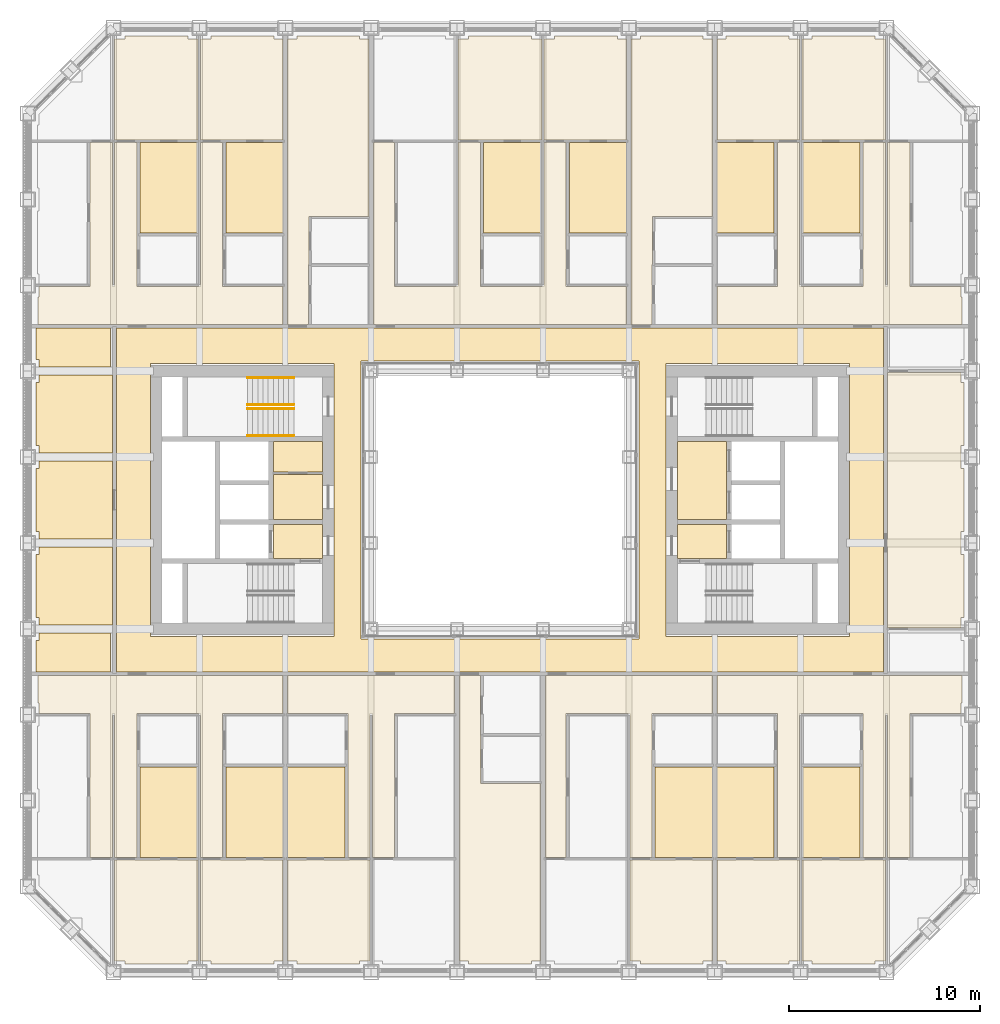
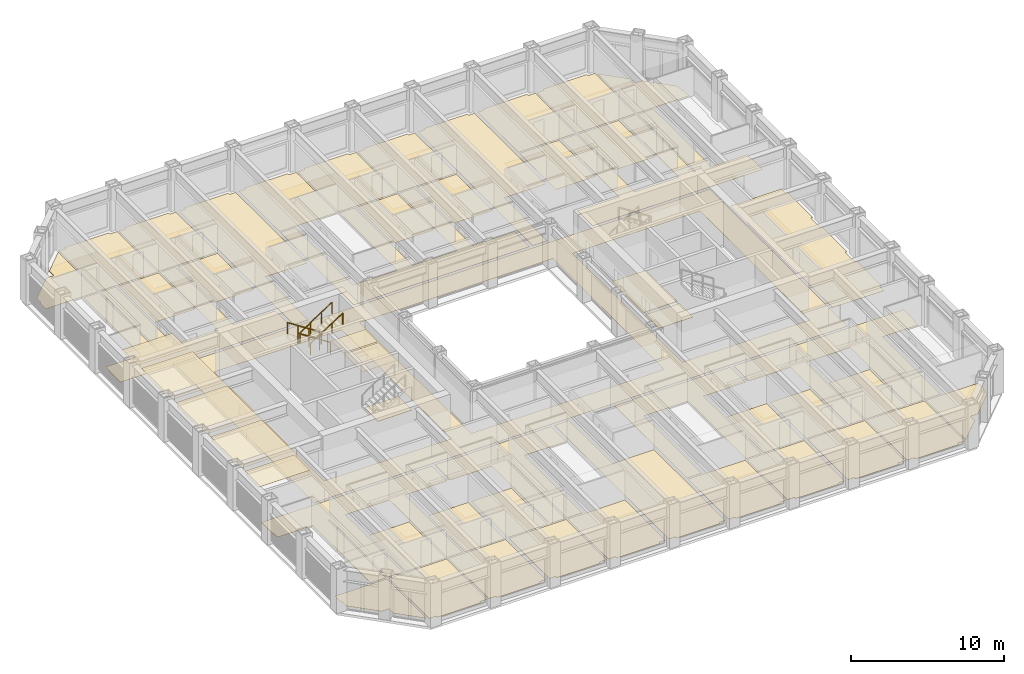
# One storey, part 17 of 20: 4 coverings, 4 railings.
"""IFC4 building model written with IfcOpenShell, lengths in metres."""

from ifc_helpers import new_model, si_unit, direction, frame, origin, origin_2d, place, context, subcontext, project, spatial, line, indexed_curve, circle, outline, extrude, material, layer, layer_set, type_object, element, save


model = new_model("IFC4")

# Units and contexts
model_context = context("Model", 3, precision=1e-05, world=origin(), true_north=direction((0.0, 1.0)))
body_context = subcontext(model_context, "Body", "Model", "MODEL_VIEW")
ifc_project = project(units=[si_unit("LENGTHUNIT", "METRE"), si_unit("AREAUNIT", "SQUARE_METRE"), si_unit("VOLUMEUNIT", "CUBIC_METRE"), si_unit("PLANEANGLEUNIT", "RADIAN"), si_unit("MASSUNIT", "GRAM", prefix="KILO")], contexts=[model_context])

# Site, building, storey
site_placement = place(None, origin())
site = spatial("IfcSite", under=ifc_project, at=site_placement, CompositionType="ELEMENT")
building_placement = place(site_placement, origin())
building = spatial("IfcBuilding", under=site, at=building_placement, Name="Msasa Ring Tower", CompositionType="ELEMENT")
storey_placement = place(building_placement, frame((0.0, 0.0, 65.0)))
storey = spatial("IfcBuildingStorey", under=building, at=storey_placement, Name="L16", CompositionType="ELEMENT", Elevation=65.0)

# Coverings
ifc_material_1 = material(Name="Mineral fibre ceiling tiles on an exposed steel grid", Category="steel")
ifc_layer_1 = layer(ifc_material_1, 0.02001953125)
ifc_layer_set_1 = layer_set([ifc_layer_1], Name="C3 ACOUSTIC MINERAL FIBRE TILE CEILING 20")
covering_type_1 = type_object("IfcCoveringType", Name="C3 ACOUSTIC MINERAL FIBRE TILE CEILING 20", PredefinedType="CEILING", material=ifc_layer_set_1)
covering_1_placement = place(storey_placement, frame((0.0, 0.0, 2.699951171875)))
element("IfcCovering", 1, at=covering_1_placement, inside=storey, type_object=covering_type_1, Name="Acoustic Mineral Fibre Tile Ceiling 20 L16", PredefinedType="CEILING", context=body_context, shape_type="SweptSolid", body=[
    extrude(outline(indexed_curve([(-24.299560546875, -8.99951171875), (-24.299560546875, -7.3505859375), (-24.1494140625, -7.3505859375), (-24.1494140625, -6.960693359375), (-20.404296875, -6.960693359375), (-20.404296875, -8.99951171875)], segments=[line(1, 2, 3, 4, 5, 6, 1)], self_intersect=False)), origin(), (0.0, 0.0, 1.0), 0.02001953125),
    extrude(outline(indexed_curve([(-24.299560546875, -2.8505859375), (-24.1494140625, -2.8505859375), (-24.1494140625, -2.460693359375), (-20.300537109375, -2.460693359375), (-20.300537109375, -6.539306640625), (-24.1494140625, -6.539306640625), (-24.1494140625, -6.1494140625), (-24.299560546875, -6.1494140625)], segments=[line(1, 2, 3, 4, 5, 6, 7, 8, 1)], self_intersect=False)), origin(), (0.0, 0.0, 1.0), 0.02001953125),
    extrude(outline(indexed_curve([(-24.299560546875, 1.6494140625), (-24.1494140625, 1.6494140625), (-24.1494140625, 2.039306640625), (-20.300537109375, 2.039306640625), (-20.300537109375, -2.039306640625), (-24.1494140625, -2.039306640625), (-24.1494140625, -1.6494140625), (-24.299560546875, -1.6494140625)], segments=[line(1, 2, 3, 4, 5, 6, 7, 8, 1)], self_intersect=False)), origin(), (0.0, 0.0, 1.0), 0.02001953125),
    extrude(outline(indexed_curve([(-24.299560546875, 6.1494140625), (-24.1494140625, 6.1494140625), (-24.1494140625, 6.539306640625), (-20.300537109375, 6.539306640625), (-20.300537109375, 2.460693359375), (-24.1494140625, 2.460693359375), (-24.1494140625, 2.8505859375), (-24.299560546875, 2.8505859375)], segments=[line(1, 2, 3, 4, 5, 6, 7, 8, 1)], self_intersect=False)), origin(), (0.0, 0.0, 1.0), 0.02001953125),
    extrude(outline(indexed_curve([(-24.299560546875, 8.99951171875), (-20.404296875, 8.99951171875), (-20.404296875, 6.960693359375), (-24.1494140625, 6.960693359375), (-24.1494140625, 7.3505859375), (-24.299560546875, 7.3505859375)], segments=[line(1, 2, 3, 4, 5, 6, 1)], self_intersect=False)), origin(), (0.0, 0.0, 1.0), 0.02001953125),
    extrude(outline(indexed_curve([(-9.300537109375, -1.0244140625), (-11.87451171875, -1.0244140625), (-11.87451171875, 1.344482421875), (-9.300537109375, 1.344482421875)], segments=[line(1, 2, 3, 4, 1)], self_intersect=False)), origin(), (0.0, 0.0, 1.0), 0.02001953125),
    extrude(outline(indexed_curve([(-9.300537109375, 1.45556640625), (-11.87451171875, 1.45556640625), (-11.87451171875, 3.074462890625), (-9.300537109375, 3.074462890625)], segments=[line(1, 2, 3, 4, 1)], self_intersect=False)), origin(), (0.0, 0.0, 1.0), 0.02001953125),
])
ifc_material_2 = material(Name="Honed granite tiles on a mortar bed", Category="masonry")
ifc_layer_2 = layer(ifc_material_2, 0.030029296875)
ifc_layer_set_2 = layer_set([ifc_layer_2], Name="F1 HONED GRANITE ON BEDDING 30")
covering_type_2 = type_object("IfcCoveringType", Name="F1 HONED GRANITE ON BEDDING 30", PredefinedType="FLOORING", material=ifc_layer_set_2)
covering_2_placement = place(storey_placement, origin())
element("IfcCovering", 2, at=covering_2_placement, inside=storey, type_object=covering_type_2, Name="Honed Granite On Bedding 30 L16", PredefinedType="FLOORING", context=body_context, shape_type="SweptSolid", body=[
    extrude(outline(indexed_curve([(-9.300537109375, -3.074462890625), (-11.87451171875, -3.074462890625), (-11.87451171875, -1.275390625), (-9.300537109375, -1.275390625)], segments=[line(1, 2, 3, 4, 1)], self_intersect=False)), origin(), (0.0, 0.0, 1.0), 0.030029296875),
    extrude(outline(indexed_curve([(9.300537109375, -3.074462890625), (9.300537109375, -1.275390625), (11.87451171875, -1.275390625), (11.87451171875, -3.074462890625)], segments=[line(1, 2, 3, 4, 1)], self_intersect=False)), origin(), (0.0, 0.0, 1.0), 0.030029296875),
    extrude(outline(indexed_curve([(9.300537109375, -1.0244140625), (9.300537109375, 3.074462890625), (11.87451171875, 3.074462890625), (11.87451171875, -1.0244140625)], segments=[line(1, 2, 3, 4, 1)], self_intersect=False)), origin(), (0.0, 0.0, 1.0), 0.030029296875),
])
ifc_material_3 = material(Name="Wool-blend carpet on felt underlay", Category="textile")
ifc_layer_3 = layer(ifc_material_3, 0.011962890625)
ifc_layer_set_3 = layer_set([ifc_layer_3], Name="F2 CARPET ON UNDERLAY 12")
covering_type_3 = type_object("IfcCoveringType", Name="F2 CARPET ON UNDERLAY 12", PredefinedType="FLOORING", material=ifc_layer_set_3)
covering_3_placement = place(storey_placement, origin())
element("IfcCovering", 3, at=covering_3_placement, inside=storey, type_object=covering_type_3, Name="Carpet On Underlay 12 L16", PredefinedType="FLOORING", context=body_context, shape_type="SweptSolid", body=[
    extrude(outline(indexed_curve([(-20.310546875, -24.052490234375), (-21.8994140625, -22.46337890625), (-21.8994140625, -21.8994140625), (-22.46337890625, -21.8994140625), (-24.1494140625, -20.21337890625), (-24.1494140625, -19.6494140625), (-24.239501953125, -19.6494140625), (-24.239501953125, -18.85546875), (-20.310546875, -18.85546875)], segments=[line(1, 2, 3, 4, 5, 6, 7, 8, 9, 1)], self_intersect=False)), origin(), (0.0, 0.0, 1.0), 0.011962890625),
    extrude(outline(indexed_curve([(-22.46337890625, 21.8994140625), (-21.8994140625, 21.8994140625), (-21.8994140625, 22.46337890625), (-20.310546875, 24.052490234375), (-20.310546875, 18.85546875), (-24.239501953125, 18.85546875), (-24.239501953125, 19.6494140625), (-24.1494140625, 19.6494140625), (-24.1494140625, 20.21337890625)], segments=[line(1, 2, 3, 4, 5, 6, 7, 8, 9, 1)], self_intersect=False)), origin(), (0.0, 0.0, 1.0), 0.011962890625),
    extrude(outline(indexed_curve([(-20.099609375, -8.99951171875), (-20.099609375, 8.99951171875), (20.099609375, 8.99951171875), (20.099609375, -8.99951171875)], segments=[line(1, 2, 3, 4, 1)], self_intersect=False), holes=[indexed_curve([(18.300537109375, -7.150390625), (18.300537109375, 7.150390625), (8.699462890625, 7.150390625), (8.699462890625, -7.150390625)], segments=[line(1, 2, 3, 4, 1)], self_intersect=False), indexed_curve([(-18.300537109375, 7.150390625), (-18.300537109375, -7.150390625), (-8.699462890625, -7.150390625), (-8.699462890625, 7.150390625)], segments=[line(1, 2, 3, 4, 1)], self_intersect=False), indexed_curve([(-7.275390625, 7.275390625), (-7.275390625, -7.275390625), (7.275390625, -7.275390625), (7.275390625, 7.275390625), (-7.22998046875, 7.280029296875)], segments=[line(1, 2, 3, 4, 5, 1)], self_intersect=False)]), origin(), (0.0, 0.0, 1.0), 0.011962890625),
    extrude(outline(indexed_curve([(-15.810546875, -13.98046875), (-15.810546875, -18.744384765625), (-18.869384765625, -18.744384765625), (-18.869384765625, -13.98046875)], segments=[line(1, 2, 3, 4, 1)], self_intersect=False)), origin(), (0.0, 0.0, 1.0), 0.011962890625),
    extrude(outline(indexed_curve([(-15.810546875, 18.744384765625), (-15.810546875, 13.98046875), (-18.869384765625, 13.98046875), (-18.869384765625, 18.744384765625)], segments=[line(1, 2, 3, 4, 1)], self_intersect=False)), origin(), (0.0, 0.0, 1.0), 0.011962890625),
    extrude(outline(indexed_curve([(-14.369384765625, -18.744384765625), (-14.369384765625, -13.98046875), (-11.37548828125, -13.98046875), (-11.37548828125, -18.744384765625)], segments=[line(1, 2, 3, 4, 1)], self_intersect=False)), origin(), (0.0, 0.0, 1.0), 0.011962890625),
    extrude(outline(indexed_curve([(-11.37548828125, 18.744384765625), (-11.37548828125, 13.98046875), (-14.369384765625, 13.98046875), (-14.369384765625, 18.744384765625)], segments=[line(1, 2, 3, 4, 1)], self_intersect=False)), origin(), (0.0, 0.0, 1.0), 0.011962890625),
    extrude(outline(indexed_curve([(-8.130615234375, -18.744384765625), (-11.12451171875, -18.744384765625), (-11.12451171875, -13.98046875), (-8.130615234375, -13.98046875)], segments=[line(1, 2, 3, 4, 1)], self_intersect=False)), origin(), (0.0, 0.0, 1.0), 0.011962890625),
    extrude(outline(indexed_curve([(-6.1494140625, -24.299560546875), (-6.1494140625, -24.1494140625), (-6.689453125, -24.1494140625), (-6.689453125, -18.85546875), (-2.37548828125, -18.85546875), (-2.37548828125, -24.1494140625), (-2.8505859375, -24.1494140625), (-2.8505859375, -24.299560546875)], segments=[line(1, 2, 3, 4, 5, 6, 7, 8, 1)], self_intersect=False)), origin(), (0.0, 0.0, 1.0), 0.011962890625),
    extrude(outline(indexed_curve([(-2.8505859375, 24.299560546875), (-2.8505859375, 24.1494140625), (-2.310546875, 24.1494140625), (-2.310546875, 18.85546875), (-6.62451171875, 18.85546875), (-6.62451171875, 24.1494140625), (-6.1494140625, 24.1494140625), (-6.1494140625, 24.299560546875)], segments=[line(1, 2, 3, 4, 5, 6, 7, 8, 1)], self_intersect=False)), origin(), (0.0, 0.0, 1.0), 0.011962890625),
    extrude(outline(indexed_curve([(2.189453125, 18.744384765625), (2.189453125, 13.98046875), (-0.869384765625, 13.98046875), (-0.869384765625, 18.744384765625)], segments=[line(1, 2, 3, 4, 1)], self_intersect=False)), origin(), (0.0, 0.0, 1.0), 0.011962890625),
    extrude(outline(indexed_curve([(6.689453125, -24.1494140625), (6.1494140625, -24.1494140625), (6.1494140625, -24.299560546875), (2.8505859375, -24.299560546875), (2.8505859375, -24.1494140625), (2.37548828125, -24.1494140625), (2.37548828125, -18.85546875), (6.689453125, -18.85546875)], segments=[line(1, 2, 3, 4, 5, 6, 7, 8, 1)], self_intersect=False)), origin(), (0.0, 0.0, 1.0), 0.011962890625),
    extrude(outline(indexed_curve([(6.62451171875, 18.744384765625), (6.62451171875, 13.98046875), (3.630615234375, 13.98046875), (3.630615234375, 18.744384765625)], segments=[line(1, 2, 3, 4, 1)], self_intersect=False)), origin(), (0.0, 0.0, 1.0), 0.011962890625),
    extrude(outline(indexed_curve([(11.12451171875, -13.98046875), (11.12451171875, -18.744384765625), (8.130615234375, -18.744384765625), (8.130615234375, -13.98046875)], segments=[line(1, 2, 3, 4, 1)], self_intersect=False)), origin(), (0.0, 0.0, 1.0), 0.011962890625),
    extrude(outline(indexed_curve([(14.369384765625, -18.744384765625), (11.37548828125, -18.744384765625), (11.37548828125, -13.98046875), (14.369384765625, -13.98046875)], segments=[line(1, 2, 3, 4, 1)], self_intersect=False)), origin(), (0.0, 0.0, 1.0), 0.011962890625),
    extrude(outline(indexed_curve([(14.369384765625, 18.744384765625), (14.369384765625, 13.98046875), (11.37548828125, 13.98046875), (11.37548828125, 18.744384765625)], segments=[line(1, 2, 3, 4, 1)], self_intersect=False)), origin(), (0.0, 0.0, 1.0), 0.011962890625),
    extrude(outline(indexed_curve([(18.869384765625, -18.744384765625), (15.810546875, -18.744384765625), (15.810546875, -13.98046875), (18.869384765625, -13.98046875)], segments=[line(1, 2, 3, 4, 1)], self_intersect=False)), origin(), (0.0, 0.0, 1.0), 0.011962890625),
    extrude(outline(indexed_curve([(18.869384765625, 13.98046875), (15.810546875, 13.98046875), (15.810546875, 18.744384765625), (18.869384765625, 18.744384765625)], segments=[line(1, 2, 3, 4, 1)], self_intersect=False)), origin(), (0.0, 0.0, 1.0), 0.011962890625),
    extrude(outline(indexed_curve([(24.239501953125, -19.6494140625), (24.1494140625, -19.6494140625), (24.1494140625, -20.21337890625), (22.46337890625, -21.8994140625), (21.8994140625, -21.8994140625), (21.8994140625, -22.46337890625), (20.310546875, -24.052490234375), (20.310546875, -18.85546875), (24.239501953125, -18.85546875)], segments=[line(1, 2, 3, 4, 5, 6, 7, 8, 9, 1)], self_intersect=False)), origin(), (0.0, 0.0, 1.0), 0.011962890625),
    extrude(outline(indexed_curve([(21.8994140625, 22.46337890625), (21.8994140625, 21.8994140625), (22.46337890625, 21.8994140625), (24.1494140625, 20.21337890625), (24.1494140625, 19.6494140625), (24.239501953125, 19.6494140625), (24.239501953125, 18.85546875), (20.310546875, 18.85546875), (20.310546875, 24.052490234375)], segments=[line(1, 2, 3, 4, 5, 6, 7, 8, 9, 1)], self_intersect=False)), origin(), (0.0, 0.0, 1.0), 0.011962890625),
])
ifc_material_4 = material(Name="Engineered oak boards on an acoustic underlay", Category="wood")
ifc_layer_4 = layer(ifc_material_4, 0.01806640625)
ifc_layer_set_4 = layer_set([ifc_layer_4], Name="F3 ENGINEERED TIMBER ON ACOUSTIC UNDERLAY 18")
covering_type_4 = type_object("IfcCoveringType", Name="F3 ENGINEERED TIMBER ON ACOUSTIC UNDERLAY 18", PredefinedType="FLOORING", material=ifc_layer_set_4)
covering_4_placement = place(storey_placement, origin())
element("IfcCovering", 4, at=covering_4_placement, inside=storey, type_object=covering_type_4, Name="Engineered Timber On Acoustic Underlay 18 L16", PredefinedType="FLOORING", context=body_context, shape_type="SweptSolid", body=[
    extrude(outline(indexed_curve([(-20.189453125, -18.744384765625), (-20.189453125, -11.199462890625), (-20.310546875, -11.199462890625), (-20.310546875, -18.744384765625), (-21.469482421875, -18.744384765625), (-21.469482421875, -11.199462890625), (-24.1494140625, -11.199462890625), (-24.1494140625, -10.6494140625), (-24.199462890625, -10.6494140625), (-24.199462890625, -9.200439453125), (-11.37548828125, -9.200439453125), (-11.37548828125, -11.199462890625), (-14.530517578125, -11.199462890625), (-14.530517578125, -18.744384765625), (-15.689453125, -18.744384765625), (-15.689453125, -11.199462890625), (-19.030517578125, -11.199462890625), (-19.030517578125, -18.744384765625)], segments=[line(1, 2, 3, 4, 5, 6, 7, 8, 9, 10, 11, 12, 13, 14, 15, 16, 17, 18, 1)], self_intersect=False)), origin(), (0.0, 0.0, 1.0), 0.01806640625),
    extrude(outline(indexed_curve([(-19.030517578125, 18.744384765625), (-19.030517578125, 11.199462890625), (-15.689453125, 11.199462890625), (-15.689453125, 18.744384765625), (-14.530517578125, 18.744384765625), (-14.530517578125, 11.199462890625), (-11.37548828125, 11.199462890625), (-11.37548828125, 9.200439453125), (-24.199462890625, 9.200439453125), (-24.199462890625, 10.6494140625), (-24.1494140625, 10.6494140625), (-24.1494140625, 11.199462890625), (-21.469482421875, 11.199462890625), (-21.469482421875, 18.744384765625), (-20.310546875, 18.744384765625), (-20.310546875, 11.199462890625), (-20.189453125, 11.199462890625), (-20.189453125, 18.744384765625)], segments=[line(1, 2, 3, 4, 5, 6, 7, 8, 9, 10, 11, 12, 13, 14, 15, 16, 17, 18, 1)], self_intersect=False)), origin(), (0.0, 0.0, 1.0), 0.01806640625),
    extrude(outline(indexed_curve([(-15.810546875, -18.85546875), (-15.810546875, -24.1494140625), (-16.3505859375, -24.1494140625), (-16.3505859375, -24.299560546875), (-19.6494140625, -24.299560546875), (-19.6494140625, -24.1494140625), (-20.189453125, -24.1494140625), (-20.189453125, -18.85546875)], segments=[line(1, 2, 3, 4, 5, 6, 7, 8, 1)], self_intersect=False)), origin(), (0.0, 0.0, 1.0), 0.01806640625),
    extrude(outline(indexed_curve([(-20.189453125, 24.1494140625), (-19.6494140625, 24.1494140625), (-19.6494140625, 24.299560546875), (-16.3505859375, 24.299560546875), (-16.3505859375, 24.1494140625), (-15.810546875, 24.1494140625), (-15.810546875, 18.85546875), (-20.189453125, 18.85546875)], segments=[line(1, 2, 3, 4, 5, 6, 7, 8, 1)], self_intersect=False)), origin(), (0.0, 0.0, 1.0), 0.01806640625),
    extrude(outline(indexed_curve([(-15.1494140625, -24.299560546875), (-15.1494140625, -24.1494140625), (-15.689453125, -24.1494140625), (-15.689453125, -18.85546875), (-11.37548828125, -18.85546875), (-11.37548828125, -24.1494140625), (-11.8505859375, -24.1494140625), (-11.8505859375, -24.299560546875)], segments=[line(1, 2, 3, 4, 5, 6, 7, 8, 1)], self_intersect=False)), origin(), (0.0, 0.0, 1.0), 0.01806640625),
    extrude(outline(indexed_curve([(-11.8505859375, 24.299560546875), (-11.8505859375, 24.1494140625), (-11.37548828125, 24.1494140625), (-11.37548828125, 18.85546875), (-15.689453125, 18.85546875), (-15.689453125, 24.1494140625), (-15.1494140625, 24.1494140625), (-15.1494140625, 24.299560546875)], segments=[line(1, 2, 3, 4, 5, 6, 7, 8, 1)], self_intersect=False)), origin(), (0.0, 0.0, 1.0), 0.01806640625),
    extrude(outline(indexed_curve([(-6.810546875, -24.1494140625), (-7.3505859375, -24.1494140625), (-7.3505859375, -24.299560546875), (-10.6494140625, -24.299560546875), (-10.6494140625, -24.1494140625), (-11.12451171875, -24.1494140625), (-11.12451171875, -18.85546875), (-6.810546875, -18.85546875)], segments=[line(1, 2, 3, 4, 5, 6, 7, 8, 1)], self_intersect=False)), origin(), (0.0, 0.0, 1.0), 0.01806640625),
    extrude(outline(indexed_curve([(-6.810546875, -11.199462890625), (-6.810546875, -18.744384765625), (-7.969482421875, -18.744384765625), (-7.969482421875, -11.199462890625), (-11.12451171875, -11.199462890625), (-11.12451171875, -9.200439453125), (-2.37548828125, -9.200439453125), (-2.37548828125, -11.199462890625), (-5.530517578125, -11.199462890625), (-5.530517578125, -18.744384765625), (-6.689453125, -18.744384765625), (-6.689453125, -11.199462890625)], segments=[line(1, 2, 3, 4, 5, 6, 7, 8, 9, 10, 11, 12, 1)], self_intersect=False)), origin(), (0.0, 0.0, 1.0), 0.01806640625),
    extrude(outline(indexed_curve([(-7.3505859375, 24.299560546875), (-7.3505859375, 24.1494140625), (-6.87548828125, 24.1494140625), (-6.87548828125, 14.8505859375), (-10.00048828125, 14.8505859375), (-10.00048828125, 12.35009765625), (-10.025390625, 12.35009765625), (-10.025390625, 9.200439453125), (-11.12451171875, 9.200439453125), (-11.12451171875, 24.1494140625), (-10.6494140625, 24.1494140625), (-10.6494140625, 24.299560546875)], segments=[line(1, 2, 3, 4, 5, 6, 7, 8, 9, 10, 11, 12, 1)], self_intersect=False)), origin(), (0.0, 0.0, 1.0), 0.01806640625),
    extrude(outline(indexed_curve([(-1.030517578125, 18.744384765625), (-1.030517578125, 11.199462890625), (2.310546875, 11.199462890625), (2.310546875, 18.744384765625), (3.469482421875, 18.744384765625), (3.469482421875, 11.199462890625), (6.62451171875, 11.199462890625), (6.62451171875, 9.200439453125), (-6.62451171875, 9.200439453125), (-6.62451171875, 18.744384765625), (-5.530517578125, 18.744384765625), (-5.530517578125, 11.199462890625), (-2.189453125, 11.199462890625), (-2.189453125, 18.744384765625)], segments=[line(1, 2, 3, 4, 5, 6, 7, 8, 9, 10, 11, 12, 13, 14, 1)], self_intersect=False)), origin(), (0.0, 0.0, 1.0), 0.01806640625),
    extrude(outline(indexed_curve([(-2.189453125, 24.1494140625), (-1.6494140625, 24.1494140625), (-1.6494140625, 24.299560546875), (1.6494140625, 24.299560546875), (1.6494140625, 24.1494140625), (2.189453125, 24.1494140625), (2.189453125, 18.85546875), (-2.189453125, 18.85546875)], segments=[line(1, 2, 3, 4, 5, 6, 7, 8, 1)], self_intersect=False)), origin(), (0.0, 0.0, 1.0), 0.01806640625),
    extrude(outline(indexed_curve([(-1.025390625, -9.200439453125), (-1.025390625, -12.35009765625), (-1.00048828125, -12.35009765625), (-1.00048828125, -14.8505859375), (2.12451171875, -14.8505859375), (2.12451171875, -24.1494140625), (1.6494140625, -24.1494140625), (1.6494140625, -24.299560546875), (-1.6494140625, -24.299560546875), (-1.6494140625, -24.1494140625), (-2.12451171875, -24.1494140625), (-2.12451171875, -9.200439453125)], segments=[line(1, 2, 3, 4, 5, 6, 7, 8, 9, 10, 11, 12, 1)], self_intersect=False)), origin(), (0.0, 0.0, 1.0), 0.01806640625),
    extrude(outline(indexed_curve([(2.310546875, 24.1494140625), (2.8505859375, 24.1494140625), (2.8505859375, 24.299560546875), (6.1494140625, 24.299560546875), (6.1494140625, 24.1494140625), (6.62451171875, 24.1494140625), (6.62451171875, 18.85546875), (2.310546875, 18.85546875)], segments=[line(1, 2, 3, 4, 5, 6, 7, 8, 1)], self_intersect=False)), origin(), (0.0, 0.0, 1.0), 0.01806640625),
    extrude(outline(indexed_curve([(2.37548828125, -18.744384765625), (2.37548828125, -9.200439453125), (11.12451171875, -9.200439453125), (11.12451171875, -11.199462890625), (7.969482421875, -11.199462890625), (7.969482421875, -18.744384765625), (6.810546875, -18.744384765625), (6.810546875, -11.199462890625), (3.469482421875, -11.199462890625), (3.469482421875, -18.744384765625)], segments=[line(1, 2, 3, 4, 5, 6, 7, 8, 9, 10, 1)], self_intersect=False)), origin(), (0.0, 0.0, 1.0), 0.01806640625),
    extrude(outline(indexed_curve([(7.3505859375, -24.299560546875), (7.3505859375, -24.1494140625), (6.810546875, -24.1494140625), (6.810546875, -18.85546875), (11.12451171875, -18.85546875), (11.12451171875, -24.1494140625), (10.6494140625, -24.1494140625), (10.6494140625, -24.299560546875)], segments=[line(1, 2, 3, 4, 5, 6, 7, 8, 1)], self_intersect=False)), origin(), (0.0, 0.0, 1.0), 0.01806640625),
    extrude(outline(indexed_curve([(10.6494140625, 24.299560546875), (10.6494140625, 24.1494140625), (11.12451171875, 24.1494140625), (11.12451171875, 14.8505859375), (7.99951171875, 14.8505859375), (7.99951171875, 12.35009765625), (7.974609375, 12.35009765625), (7.974609375, 9.200439453125), (6.87548828125, 9.200439453125), (6.87548828125, 24.1494140625), (7.3505859375, 24.1494140625), (7.3505859375, 24.299560546875)], segments=[line(1, 2, 3, 4, 5, 6, 7, 8, 9, 10, 11, 12, 1)], self_intersect=False)), origin(), (0.0, 0.0, 1.0), 0.01806640625),
    extrude(outline(indexed_curve([(11.8505859375, -24.299560546875), (11.8505859375, -24.1494140625), (11.37548828125, -24.1494140625), (11.37548828125, -18.85546875), (15.689453125, -18.85546875), (15.689453125, -24.1494140625), (15.1494140625, -24.1494140625), (15.1494140625, -24.299560546875)], segments=[line(1, 2, 3, 4, 5, 6, 7, 8, 1)], self_intersect=False)), origin(), (0.0, 0.0, 1.0), 0.01806640625),
    extrude(outline(indexed_curve([(19.030517578125, -18.744384765625), (19.030517578125, -11.199462890625), (15.689453125, -11.199462890625), (15.689453125, -18.744384765625), (14.530517578125, -18.744384765625), (14.530517578125, -11.199462890625), (11.37548828125, -11.199462890625), (11.37548828125, -9.200439453125), (24.199462890625, -9.200439453125), (24.199462890625, -10.6494140625), (24.1494140625, -10.6494140625), (24.1494140625, -11.199462890625), (21.469482421875, -11.199462890625), (21.469482421875, -18.744384765625), (20.310546875, -18.744384765625), (20.310546875, -11.199462890625), (20.189453125, -11.199462890625), (20.189453125, -18.744384765625)], segments=[line(1, 2, 3, 4, 5, 6, 7, 8, 9, 10, 11, 12, 13, 14, 15, 16, 17, 18, 1)], self_intersect=False)), origin(), (0.0, 0.0, 1.0), 0.01806640625),
    extrude(outline(indexed_curve([(20.189453125, 18.744384765625), (20.189453125, 11.199462890625), (20.310546875, 11.199462890625), (20.310546875, 18.744384765625), (21.469482421875, 18.744384765625), (21.469482421875, 11.199462890625), (24.1494140625, 11.199462890625), (24.1494140625, 10.6494140625), (24.199462890625, 10.6494140625), (24.199462890625, 9.200439453125), (11.37548828125, 9.200439453125), (11.37548828125, 11.199462890625), (14.530517578125, 11.199462890625), (14.530517578125, 18.744384765625), (15.689453125, 18.744384765625), (15.689453125, 11.199462890625), (19.030517578125, 11.199462890625), (19.030517578125, 18.744384765625)], segments=[line(1, 2, 3, 4, 5, 6, 7, 8, 9, 10, 11, 12, 13, 14, 15, 16, 17, 18, 1)], self_intersect=False)), origin(), (0.0, 0.0, 1.0), 0.01806640625),
    extrude(outline(indexed_curve([(15.1494140625, 24.299560546875), (15.1494140625, 24.1494140625), (15.689453125, 24.1494140625), (15.689453125, 18.85546875), (11.37548828125, 18.85546875), (11.37548828125, 24.1494140625), (11.8505859375, 24.1494140625), (11.8505859375, 24.299560546875)], segments=[line(1, 2, 3, 4, 5, 6, 7, 8, 1)], self_intersect=False)), origin(), (0.0, 0.0, 1.0), 0.01806640625),
    extrude(outline(indexed_curve([(20.189453125, -18.85546875), (20.189453125, -24.1494140625), (19.6494140625, -24.1494140625), (19.6494140625, -24.299560546875), (16.3505859375, -24.299560546875), (16.3505859375, -24.1494140625), (15.810546875, -24.1494140625), (15.810546875, -18.85546875)], segments=[line(1, 2, 3, 4, 5, 6, 7, 8, 1)], self_intersect=False)), origin(), (0.0, 0.0, 1.0), 0.01806640625),
    extrude(outline(indexed_curve([(15.810546875, 24.1494140625), (16.3505859375, 24.1494140625), (16.3505859375, 24.299560546875), (19.6494140625, 24.299560546875), (19.6494140625, 24.1494140625), (20.189453125, 24.1494140625), (20.189453125, 18.85546875), (15.810546875, 18.85546875)], segments=[line(1, 2, 3, 4, 5, 6, 7, 8, 1)], self_intersect=False)), origin(), (0.0, 0.0, 1.0), 0.01806640625),
    extrude(outline(indexed_curve([(20.300537109375, 6.66943359375), (24.1494140625, 6.66943359375), (24.1494140625, 6.1494140625), (24.299560546875, 6.1494140625), (24.299560546875, 2.8505859375), (24.1494140625, 2.8505859375), (24.1494140625, 1.6494140625), (24.299560546875, 1.6494140625), (24.299560546875, -1.6494140625), (24.1494140625, -1.6494140625), (24.1494140625, -2.8505859375), (24.299560546875, -2.8505859375), (24.299560546875, -6.1494140625), (24.1494140625, -6.1494140625), (24.1494140625, -6.694580078125), (20.300537109375, -6.694580078125)], segments=[line(1, 2, 3, 4, 5, 6, 7, 8, 9, 10, 11, 12, 13, 14, 15, 16, 1)], self_intersect=False)), origin(), (0.0, 0.0, 1.0), 0.01806640625),
])

# Railings
ifc_material_5 = material(Name="Stainless steel", Category="steel")
railing_type = type_object("IfcRailingType", Name="HR1 HANDRAIL 900", PredefinedType="HANDRAIL", material=ifc_material_5)
for number, where, name in (
    (5, (-10.800048828125, 5.0, 0.175048828125), "Handrail stair SWB L16 1"),
    (6, (-10.800048828125, 6.39990234375, 0.175048828125), "Handrail stair SWB L16 2"),
):
    element("IfcRailing", number, at=place(storey_placement, frame(where)), inside=storey, type_object=railing_type, Name=name, PredefinedType="HANDRAIL", context=body_context, shape_type="SweptSolid", body=[
        extrude(circle(Radius=0.02392578125, at=origin_2d()), frame((0.0, 0.0, 0.8759765625), z_axis=(-0.839153699163, 0.0, 0.543894354798), x_axis=(0.0, -1.0, 0.0)), (0.0, 0.0, 1.0), 2.895751953125),
        extrude(circle(Radius=0.02099609375, at=origin_2d()), origin(), (0.0, 0.0, 1.0), 0.851806640625),
        extrude(circle(Radius=0.02099609375, at=origin_2d()), frame((-0.81005859375, 0.0, 0.52490234375)), (0.0, 0.0, 1.0), 0.851806640625),
        extrude(circle(Radius=0.02099609375, at=origin_2d()), frame((-1.619873046875, 0.0, 1.050048828125)), (0.0, 0.0, 1.0), 0.851806640625),
        extrude(circle(Radius=0.02099609375, at=origin_2d()), frame((-2.429931640625, 0.0, 1.574951171875)), (0.0, 0.0, 1.0), 0.851806640625),
    ])
for number, where, name in (
    (7, (-13.22998046875, 3.375, 1.925048828125), "Handrail stair SWB L16 3"),
    (8, (-13.22998046875, 4.77490234375, 1.925048828125), "Handrail stair SWB L16 4"),
):
    element("IfcRailing", number, at=place(storey_placement, frame(where)), inside=storey, type_object=railing_type, Name=name, PredefinedType="HANDRAIL", context=body_context, shape_type="SweptSolid", body=[
        extrude(circle(Radius=0.02392578125, at=origin_2d()), frame((0.0, 0.0, 0.8759765625), z_axis=(0.839153699163, 0.0, 0.543894354798), x_axis=(0.0, 1.0, 0.0)), (0.0, 0.0, 1.0), 2.895751953125),
        extrude(circle(Radius=0.02099609375, at=origin_2d()), origin(), (0.0, 0.0, 1.0), 0.851806640625),
        extrude(circle(Radius=0.02099609375, at=origin_2d()), frame((0.81005859375, 0.0, 0.52490234375)), (0.0, 0.0, 1.0), 0.851806640625),
        extrude(circle(Radius=0.02099609375, at=origin_2d()), frame((1.619873046875, 0.0, 1.050048828125)), (0.0, 0.0, 1.0), 0.851806640625),
        extrude(circle(Radius=0.02099609375, at=origin_2d()), frame((2.429931640625, 0.0, 1.574951171875)), (0.0, 0.0, 1.0), 0.851806640625),
    ])

save(model, "model.ifc")
